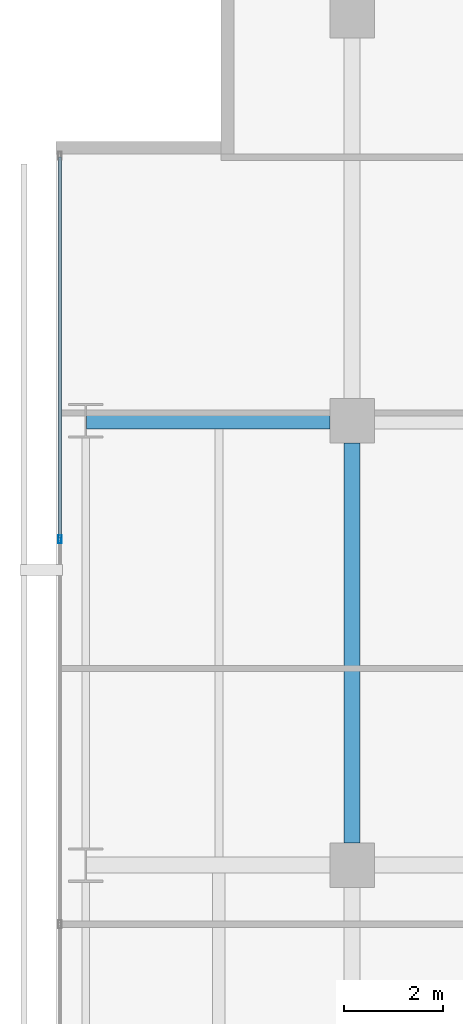
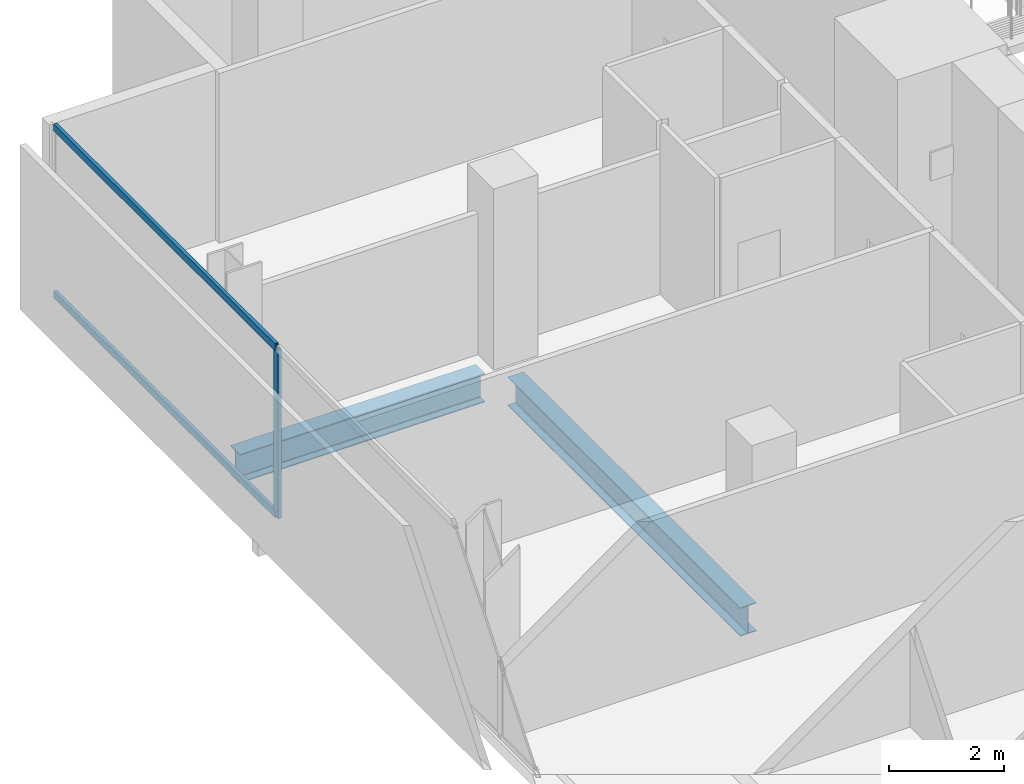
# One storey, part 23 of 41: 3 members, 2 beams, 1 element without a shape of its own.
"""IFC4 building model written with IfcOpenShell, lengths in metres."""

from ifc_helpers import new_model, si_unit, direction, frame, origin, origin_2d, place, context, subcontext, project, spatial, hollow_rectangle, i_section, extrude, material, layer, layer_set, material_profile, profile_set, type_object, element, aggregate, save


model = new_model("IFC4")

# Units and contexts
model_context = context("Model", 3, precision=1e-05, world=origin(), true_north=direction((0.0, 1.0)))
body_context = subcontext(model_context, "Body", "Model", "MODEL_VIEW")
ifc_project = project(units=[si_unit("LENGTHUNIT", "METRE"), si_unit("AREAUNIT", "SQUARE_METRE"), si_unit("VOLUMEUNIT", "CUBIC_METRE"), si_unit("PLANEANGLEUNIT", "RADIAN"), si_unit("MASSUNIT", "GRAM", prefix="KILO")], contexts=[model_context])

# Site, building, storey
site_placement = place(None, origin())
site = spatial("IfcSite", under=ifc_project, at=site_placement, CompositionType="ELEMENT")
building_placement = place(site_placement, origin())
building = spatial("IfcBuilding", under=site, at=building_placement, Name="Maruvema Waterfront Hotel and Observation Tower", CompositionType="ELEMENT")
storey_placement = place(building_placement, frame((0.0, 0.0, 84.699951171875)))
storey = spatial("IfcBuildingStorey", under=building, at=storey_placement, Name="L20", CompositionType="ELEMENT", Elevation=84.699951171875)

# Curtain wall, members
ifc_material_1 = material(Name="Anodised bronze aluminium and solar-control low-E IGU", Category="aluminium")
ifc_layer = layer(ifc_material_1, 0.159912109375, Name="Zone 1 Bronze Inner Thermal Curtain Wall System CW-02")
ifc_layer_set = layer_set([ifc_layer], Name="Anodised bronze aluminium and solar-control low-E IGU")
curtain_wall_type = type_object("IfcCurtainWallType", Name="Zone 1 Bronze Inner Thermal Curtain Wall System CW-02", PredefinedType="USERDEFINED", material=ifc_layer_set)
curtain_wall_placement = place(storey_placement, origin())
curtain_wall = element("IfcCurtainWall", 1, at=curtain_wall_placement, inside=storey, type_object=curtain_wall_type, Name="L20 Curtain Wall CW-L20-W", ObjectType="UNITISED CURTAIN WALL", PredefinedType="USERDEFINED")
ifc_material_2 = material(Name="Anodised architectural bronze aluminium", Category="aluminium")
ifc_material_profile_1 = material_profile(ifc_material_2, hollow_rectangle(XDim=0.070068359375, YDim=0.14990234375, WallThickness=0.00390625, at=origin_2d()), Name="ALU-T70x150")
ifc_profile_set_1 = profile_set([ifc_material_profile_1], Name="Anodised architectural bronze aluminium")
member_type_1 = type_object("IfcMemberType", Name="Curtain Wall Horizontal Transom ALU-T70x150", PredefinedType="USERDEFINED", material=ifc_profile_set_1)
member_1_placement = place(storey_placement, frame((10.8798828125, 50.340087890625, 0.030029296875), z_axis=(0.0, -1.0, 0.0), x_axis=(1.0, 0.0, 0.0)))
member_1 = element("IfcMember", 2, at=member_1_placement, type_object=member_type_1, Name="CW-02 transom 1.1", ObjectType="TRANSOM", PredefinedType="USERDEFINED", context=body_context, shape_type="SweptSolid", body=[
    extrude(hollow_rectangle(XDim=0.070068359375, YDim=0.14990234375, WallThickness=0.00390625, at=origin_2d()), origin(), (0.0, 0.0, 1.0), 7.710205078125),
])
member_2_placement = place(storey_placement, frame((10.8798828125, 50.340087890625, 3.580078125), z_axis=(0.0, -1.0, 0.0), x_axis=(1.0, 0.0, 0.0)))
member_2 = element("IfcMember", 3, at=member_2_placement, type_object=member_type_1, Name="CW-02 transom 1.2", ObjectType="TRANSOM", PredefinedType="USERDEFINED", context=body_context, shape_type="SweptSolid", body=[
    extrude(hollow_rectangle(XDim=0.070068359375, YDim=0.14990234375, WallThickness=0.00390625, at=origin_2d()), origin(), (0.0, 0.0, 1.0), 7.710205078125),
])
ifc_material_3 = material(Name="Anodised architectural bronze aluminium", Category="aluminium")
ifc_material_profile_2 = material_profile(ifc_material_3, hollow_rectangle(XDim=0.06494140625, YDim=0.1650390625, WallThickness=0.00390625, at=origin_2d()), Name="ALU-M65x165")
ifc_profile_set_2 = profile_set([ifc_material_profile_2], Name="Anodised architectural bronze aluminium")
member_type_2 = type_object("IfcMemberType", Name="Curtain Wall Primary Mullion ALU-M65x165", PredefinedType="MULLION", material=ifc_profile_set_2)
member_3_placement = place(storey_placement, frame((10.8798828125, 42.60009765625, 0.0), z_axis=(0.0, 0.0, 1.0), x_axis=(1.0, 0.0, 0.0)))
member_3 = element("IfcMember", 4, at=member_3_placement, type_object=member_type_2, Name="CW-02 mullion 2", PredefinedType="MULLION", context=body_context, shape_type="SweptSolid", body=[
    extrude(hollow_rectangle(XDim=0.06494140625, YDim=0.1650390625, WallThickness=0.00390625, at=origin_2d()), origin(), (0.0, 0.0, 1.0), 3.610107421875),
])
aggregate(curtain_wall, [member_3, member_1, member_2])

# Beams
ifc_material_4 = material(Name="Steel ASTM A572 Grade 50", Category="steel")
ifc_material_profile_3 = material_profile(ifc_material_4, i_section(OverallWidth=0.323974609375, OverallDepth=0.611083984375, WebThickness=0.0126953125, FlangeThickness=0.01904296875, FilletRadius=0.01806640625, at=origin_2d()), Name="W610x155.0")
ifc_profile_set_3 = profile_set([ifc_material_profile_3], Name="Steel ASTM A572 Grade 50")
beam_type = type_object("IfcBeamType", Name="Primary Floor Girder W610x155.0", PredefinedType="BEAM", material=ifc_profile_set_3)
beam_1_placement = place(storey_placement, frame((11.4140625, 45.0, -0.54541015625), z_axis=(1.0, 0.0, 0.0), x_axis=(0.0, 1.0, 0.0)))
element("IfcBeam", 5, at=beam_1_placement, inside=storey, type_object=beam_type, Name="L20 Floor Girder EW-32", PredefinedType="BEAM", context=body_context, shape_type="SweptSolid", body=[
    extrude(i_section(OverallWidth=0.323974609375, OverallDepth=0.611083984375, WebThickness=0.0126953125, FlangeThickness=0.01904296875, FilletRadius=0.01806640625, at=origin_2d()), origin(), (0.0, 0.0, 1.0), 4.93603515625),
])
beam_2_placement = place(storey_placement, frame((16.800048828125, 36.449951171875, -0.54541015625), z_axis=(0.0, 1.0, 0.0), x_axis=(-1.0, 0.0, 0.0)))
element("IfcBeam", 6, at=beam_2_placement, inside=storey, type_object=beam_type, Name="L20 Floor Girder NS-09", PredefinedType="BEAM", context=body_context, shape_type="SweptSolid", body=[
    extrude(i_section(OverallWidth=0.323974609375, OverallDepth=0.611083984375, WebThickness=0.0126953125, FlangeThickness=0.01904296875, FilletRadius=0.01806640625, at=origin_2d()), origin(), (0.0, 0.0, 1.0), 8.10009765625),
])

save(model, "model.ifc")
